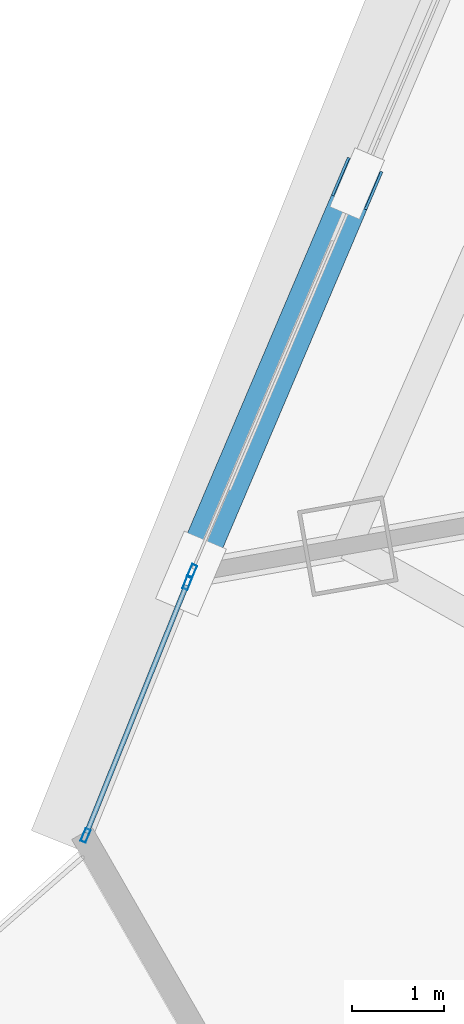
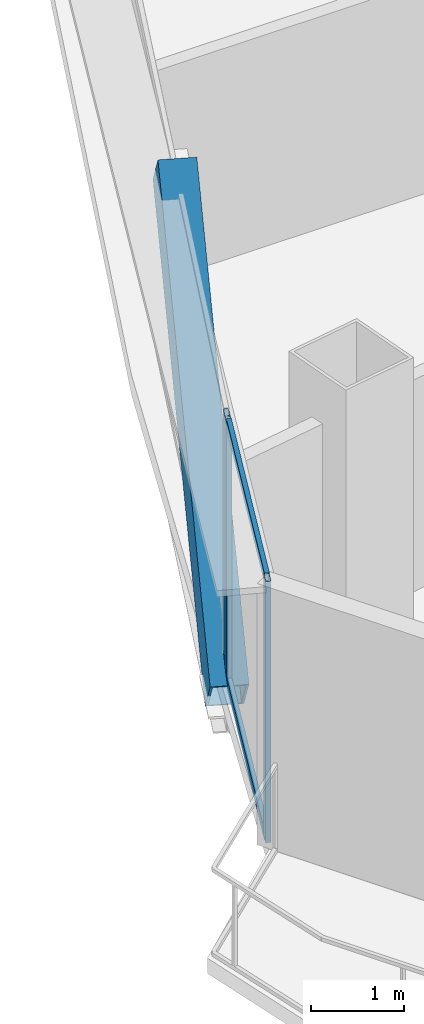
# One storey, part 4 of 39: 6 members, 2 elements without a shape of their own.
"""IFC4 building model written with IfcOpenShell, lengths in metres."""

from ifc_helpers import new_model, si_unit, direction, frame, origin, origin_2d, place, context, subcontext, project, spatial, hollow_rectangle, extrude, source, transform, mapped, material, layer, layer_set, material_profile, profile_set, type_object, element, aggregate, save


model = new_model("IFC4")

# Units and contexts
model_context = context("Model", 3, precision=1e-05, world=origin(), true_north=direction((0.0, 1.0)))
body_context = subcontext(model_context, "Body", "Model", "MODEL_VIEW")
ifc_project = project(units=[si_unit("LENGTHUNIT", "METRE"), si_unit("AREAUNIT", "SQUARE_METRE"), si_unit("VOLUMEUNIT", "CUBIC_METRE"), si_unit("PLANEANGLEUNIT", "RADIAN"), si_unit("MASSUNIT", "GRAM", prefix="KILO"), si_unit("THERMODYNAMICTEMPERATUREUNIT", "KELVIN"), si_unit("POWERUNIT", "WATT")], contexts=[model_context])

# Site, building, storey
site_placement = place(None, origin())
site = spatial("IfcSite", under=ifc_project, at=site_placement, CompositionType="ELEMENT")
building_placement = place(site_placement, origin())
building = spatial("IfcBuilding", under=site, at=building_placement, Name="Yunzhuo Pagoda Commons", CompositionType="ELEMENT")
storey_placement = place(building_placement, frame((0.0, 0.0, 144.550048828125)))
storey = spatial("IfcBuildingStorey", under=building, at=storey_placement, Name="L36", CompositionType="ELEMENT", Elevation=144.550048828125)

# Member
ifc_material_1 = material(Name="Structural steel Q420B", Category="steel")
ifc_material_profile_1 = material_profile(ifc_material_1, hollow_rectangle(XDim=0.419921875, YDim=0.719970703125, WallThickness=0.028076171875, at=origin_2d()), Name="Structural steel Q420B")
ifc_profile_set_1 = profile_set([ifc_material_profile_1], Name="Structural steel Q420B")
member_type_1 = type_object("IfcMemberType", Name="M-DL1 Brace BOX 720x420x28", PredefinedType="BRACE", material=ifc_profile_set_1)
shared_shape_1 = source(origin(), body_context, "Body", "SweptSolid", [
    extrude(hollow_rectangle(XDim=0.419921875, YDim=0.719970703125, WallThickness=0.028076171875, at=origin_2d()), origin(), (0.0, 0.0, 1.0), 5.915283203125),
])
member_1_placement = place(storey_placement, frame((9.291015625, 26.87451171875, -0.260009765625), z_axis=(0.306695249889, 0.720368576444, 0.622098977469), x_axis=(-0.920083094717, 0.391723242629, 0.0)))
element("IfcMember", 1, at=member_1_placement, inside=storey, type_object=member_type_1, Name="L36 facade diamond brace F3.3R", PredefinedType="BRACE", context=body_context, shape_type="MappedRepresentation", body=[
    mapped(shared_shape_1, transform((0.0, 0.0, 0.0), scale=1.0)),
])

# Curtain wall, member
ifc_material_2 = material(Name="Anodized aluminium 6063-T6", Category="aluminium")
ifc_layer = layer(ifc_material_2, 0.14990234375)
ifc_layer_set = layer_set([ifc_layer], Name="Anodized aluminium 6063-T6")
curtain_wall_type = type_object("IfcCurtainWallType", Name="CW-MID Mid-Zone Ribbon Curtain Wall", PredefinedType="NOTDEFINED", material=ifc_layer_set)
curtain_wall_1_placement = place(storey_placement, origin())
curtain_wall_1 = element("IfcCurtainWall", 2, at=curtain_wall_1_placement, inside=storey, type_object=curtain_wall_type, Name="L36 curtain wall CW-L36-F3B4", PredefinedType="NOTDEFINED")
ifc_material_profile_2 = material_profile(ifc_material_2, hollow_rectangle(XDim=0.06005859375, YDim=0.14990234375, WallThickness=0.00390625, at=origin_2d()), Name="Anodized aluminium 6063-T6")
ifc_profile_set_2 = profile_set([ifc_material_profile_2], Name="Anodized aluminium 6063-T6")
member_type_2 = type_object("IfcMemberType", Name="CW-MID-M Mullion RHS 150x60x4", PredefinedType="MULLION", material=ifc_profile_set_2)
shared_shape_2 = source(origin(), body_context, "Body", "SweptSolid", [
    extrude(hollow_rectangle(XDim=0.06005859375, YDim=0.14990234375, WallThickness=0.00390625, at=origin_2d()), origin(), (0.0, 0.0, 1.0), 3.419921875),
])
member_2_placement = place(storey_placement, frame((9.302734375, 26.902099609375, 0.0), z_axis=(0.0, 0.0, 1.0), x_axis=(0.920072228059, -0.391748765351, 0.0)))
member_2 = element("IfcMember", 3, at=member_2_placement, type_object=member_type_2, Name="CW mullion 2", PredefinedType="MULLION", context=body_context, shape_type="MappedRepresentation", body=[
    mapped(shared_shape_2, transform((0.0, 0.0, 0.0), scale=1.0)),
])
aggregate(curtain_wall_1, [member_2])

# Curtain wall, members
curtain_wall_2_placement = place(storey_placement, origin())
curtain_wall_2 = element("IfcCurtainWall", 4, at=curtain_wall_2_placement, inside=storey, type_object=curtain_wall_type, Name="L36 curtain wall CW-L36-F3B5", PredefinedType="NOTDEFINED")
member_3_placement = place(storey_placement, frame((9.251708984375, 26.777099609375, 0.0), z_axis=(0.0, 0.0, 1.0), x_axis=(0.927583162846, -0.373616750166, 0.0)))
member_3 = element("IfcMember", 5, at=member_3_placement, type_object=member_type_2, Name="CW mullion 1", PredefinedType="MULLION", context=body_context, shape_type="MappedRepresentation", body=[
    mapped(shared_shape_2, transform((0.0, 0.0, 0.0), scale=1.0)),
])
member_4_placement = place(storey_placement, frame((8.140380859375, 24.017822265625, 0.0), z_axis=(0.0, 0.0, 1.0), x_axis=(0.927583162846, -0.373616750166, 0.0)))
member_4 = element("IfcMember", 6, at=member_4_placement, type_object=member_type_2, Name="CW mullion 2", PredefinedType="MULLION", context=body_context, shape_type="MappedRepresentation", body=[
    mapped(shared_shape_2, transform((0.0, 0.0, 0.0), scale=1.0)),
])
ifc_material_profile_3 = material_profile(ifc_material_2, hollow_rectangle(XDim=0.054931640625, YDim=0.1298828125, WallThickness=0.00341796875, at=origin_2d()), Name="Anodized aluminium 6063-T6")
ifc_profile_set_3 = profile_set([ifc_material_profile_3], Name="Anodized aluminium 6063-T6")
member_type_3 = type_object("IfcMemberType", Name="CW-MID-T Transom RHS 130x55x3.5", PredefinedType="USERDEFINED", material=ifc_profile_set_3)
shared_shape_3 = source(origin(), body_context, "Body", "SweptSolid", [
    extrude(hollow_rectangle(XDim=0.054931640625, YDim=0.1298828125, WallThickness=0.00341796875, at=origin_2d()), origin(), (0.0, 0.0, 1.0), 2.914794921875),
])
member_5_placement = place(storey_placement, frame((9.24072265625, 26.749267578125, 0.02734375), z_axis=(-0.373656886958, -0.927566995332, 0.0), x_axis=(0.927566995332, -0.373656886958, 0.0)))
member_5 = element("IfcMember", 7, at=member_5_placement, type_object=member_type_3, Name="CW transom 1.1", ObjectType="TRANSOM", PredefinedType="USERDEFINED", context=body_context, shape_type="MappedRepresentation", body=[
    mapped(shared_shape_3, transform((0.0, 0.0, 0.0), scale=1.0)),
])
member_6_placement = place(storey_placement, frame((9.24072265625, 26.749267578125, 3.392333984375), z_axis=(-0.373656886958, -0.927566995332, 0.0), x_axis=(0.927566995332, -0.373656886958, 0.0)))
member_6 = element("IfcMember", 8, at=member_6_placement, type_object=member_type_3, Name="CW transom 1.2", ObjectType="TRANSOM", PredefinedType="USERDEFINED", context=body_context, shape_type="MappedRepresentation", body=[
    mapped(shared_shape_3, transform((0.0, 0.0, 0.0), scale=1.0)),
])
aggregate(curtain_wall_2, [member_3, member_4, member_5, member_6])

save(model, "model.ifc")
